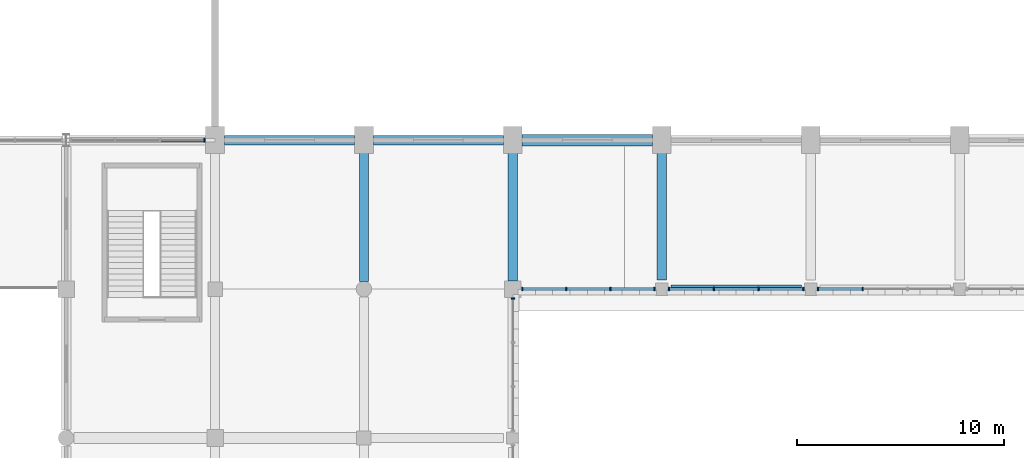
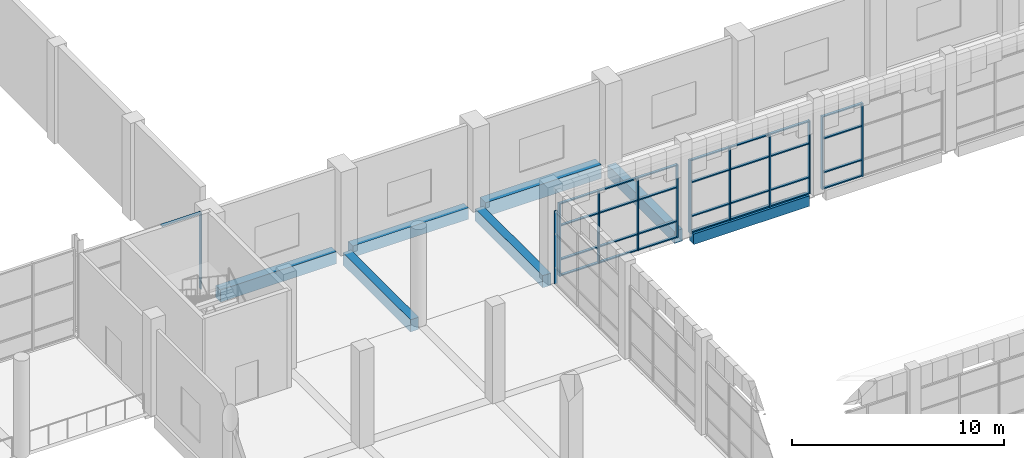
# One storey, part 22 of 80: 41 members, 7 beams, 5 elements without a shape of their own.
"""IFC4 building model written with IfcOpenShell, lengths in metres."""

from ifc_helpers import new_model, si_unit, direction, frame, origin, origin_2d, place, context, subcontext, project, spatial, rectangle, extrude, material, material_profile, profile_set, type_object, element, aggregate, save


model = new_model("IFC4")

# Units and contexts
model_context = context("Model", 3, precision=1e-05, world=origin(), true_north=direction((0.0, 1.0)))
body_context = subcontext(model_context, "Body", "Model", "MODEL_VIEW")
ifc_project = project(units=[si_unit("LENGTHUNIT", "METRE"), si_unit("AREAUNIT", "SQUARE_METRE"), si_unit("VOLUMEUNIT", "CUBIC_METRE"), si_unit("PLANEANGLEUNIT", "RADIAN"), si_unit("MASSUNIT", "GRAM", prefix="KILO")], contexts=[model_context])

# Site, building, storey
site_placement = place(None, origin())
site = spatial("IfcSite", under=ifc_project, at=site_placement, CompositionType="ELEMENT")
building_placement = place(site_placement, origin())
building = spatial("IfcBuilding", under=site, at=building_placement, Name="Sardonyx Promenade Sports Hall", CompositionType="ELEMENT")
storey_placement = place(building_placement, frame((0.0, 0.0, 5.60009765625)))
storey = spatial("IfcBuildingStorey", under=building, at=storey_placement, Name="L01", CompositionType="ELEMENT", Elevation=5.60009765625)

# Beams
ifc_material_1 = material(Name="Concrete C40/50", Category="concrete")
ifc_material_profile_1 = material_profile(ifc_material_1, rectangle(XDim=0.550048828125, YDim=0.800048828125, at=origin_2d()))
ifc_profile_set_1 = profile_set([ifc_material_profile_1], Name="Concrete C40/50")
beam_type_1 = type_object("IfcBeamType", Name="Bm_Girder_RC800", PredefinedType="BEAM", material=ifc_profile_set_1)
beam_1_placement = place(storey_placement, frame((43.64990234375, 72.0, -0.400146484375), z_axis=(1.0, 0.0, 0.0), x_axis=(0.0, 1.0, 0.0)))
element("IfcBeam", 1, at=beam_1_placement, inside=storey, type_object=beam_type_1, Name="Beam BG04 L01 #269", PredefinedType="BEAM", context=body_context, shape_type="SweptSolid", body=[
    extrude(rectangle(XDim=0.550048828125, YDim=0.800048828125, at=origin_2d()), origin(), (0.0, 0.0, 1.0), 6.300048828125),
])
ifc_material_2 = material(Name="Concrete C40/50", Category="concrete")
ifc_material_profile_2 = material_profile(ifc_material_2, rectangle(XDim=0.449951171875, YDim=0.64990234375, at=origin_2d()))
ifc_profile_set_2 = profile_set([ifc_material_profile_2], Name="Concrete C40/50")
beam_type_2 = type_object("IfcBeamType", Name="Bm_Primary_RC650", PredefinedType="BEAM", material=ifc_profile_set_2)
beam_2_placement = place(storey_placement, frame((36.449951171875, 72.0, -0.3251953125), z_axis=(1.0, 0.0, 0.0), x_axis=(0.0, 1.0, 0.0)))
element("IfcBeam", 2, at=beam_2_placement, inside=storey, type_object=beam_type_2, Name="Beam BG05 L01 #268", PredefinedType="BEAM", context=body_context, shape_type="SweptSolid", body=[
    extrude(rectangle(XDim=0.449951171875, YDim=0.64990234375, at=origin_2d()), origin(), (0.0, 0.0, 1.0), 6.300048828125),
])
ifc_material_3 = material(Name="Concrete C40/50", Category="concrete")
ifc_material_profile_3 = material_profile(ifc_material_3, rectangle(XDim=0.449951171875, YDim=0.699951171875, at=origin_2d()))
ifc_profile_set_3 = profile_set([ifc_material_profile_3], Name="Concrete C40/50")
beam_type_3 = type_object("IfcBeamType", Name="Bm_Primary_RC700", PredefinedType="BEAM", material=ifc_profile_set_3)
beam_3_placement = place(storey_placement, frame((29.25, 72.0, -0.35009765625), z_axis=(1.0, 0.0, 0.0), x_axis=(0.0, 1.0, 0.0)))
element("IfcBeam", 3, at=beam_3_placement, inside=storey, type_object=beam_type_3, Name="Beam BG01 L01 #267", PredefinedType="BEAM", context=body_context, shape_type="SweptSolid", body=[
    extrude(rectangle(XDim=0.449951171875, YDim=0.699951171875, at=origin_2d()), origin(), (0.0, 0.0, 1.0), 6.300048828125),
])
beam_4_placement = place(storey_placement, frame((36.0, 65.175048828125, -0.35009765625), z_axis=(0.0, 1.0, 0.0), x_axis=(-1.0, 0.0, 0.0)))
element("IfcBeam", 4, at=beam_4_placement, inside=storey, type_object=beam_type_3, Name="Beam BG01 L01 #319", PredefinedType="BEAM", context=body_context, shape_type="SweptSolid", body=[
    extrude(rectangle(XDim=0.449951171875, YDim=0.699951171875, at=origin_2d()), origin(), (0.0, 0.0, 1.0), 6.375),
])
beam_5_placement = place(storey_placement, frame((43.199951171875, 65.199951171875, -0.35009765625), z_axis=(0.0, 1.0, 0.0), x_axis=(-1.0, 0.0, 0.0)))
element("IfcBeam", 5, at=beam_5_placement, inside=storey, type_object=beam_type_3, Name="Beam BG01 L01 #329", PredefinedType="BEAM", context=body_context, shape_type="SweptSolid", body=[
    extrude(rectangle(XDim=0.449951171875, YDim=0.699951171875, at=origin_2d()), origin(), (0.0, 0.0, 1.0), 6.35009765625),
])
beam_6_placement = place(storey_placement, frame((50.39990234375, 65.25, -0.35009765625), z_axis=(0.0, 1.0, 0.0), x_axis=(-1.0, 0.0, 0.0)))
element("IfcBeam", 6, at=beam_6_placement, inside=storey, type_object=beam_type_3, Name="Beam BG01 L01 #330", PredefinedType="BEAM", context=body_context, shape_type="SweptSolid", body=[
    extrude(rectangle(XDim=0.449951171875, YDim=0.699951171875, at=origin_2d()), origin(), (0.0, 0.0, 1.0), 6.300048828125),
])
ifc_material_4 = material(Name="Concrete C40/50", Category="concrete")
ifc_material_profile_4 = material_profile(ifc_material_4, rectangle(XDim=0.39990234375, YDim=0.60009765625, at=origin_2d()))
ifc_profile_set_4 = profile_set([ifc_material_profile_4], Name="Concrete C40/50")
beam_type_4 = type_object("IfcBeamType", Name="Bm_Spandrel_RC600", PredefinedType="SPANDREL", material=ifc_profile_set_4)
beam_7_placement = place(storey_placement, frame((50.85009765625, 64.800048828125, -0.300048828125), z_axis=(1.0, 0.0, 0.0), x_axis=(0.0, 1.0, 0.0)))
element("IfcBeam", 7, at=beam_7_placement, inside=storey, type_object=beam_type_4, Name="Beam SPB1 L01 #258", PredefinedType="SPANDREL", context=body_context, shape_type="SweptSolid", body=[
    extrude(rectangle(XDim=0.39990234375, YDim=0.60009765625, at=origin_2d()), origin(), (0.0, 0.0, 1.0), 6.2998046875),
])

# Curtain wall, members
ifc_material_5 = material(Name="Aluminium 6063-T6", Category="aluminium")
curtain_wall_type_1 = type_object("IfcCurtainWallType", Name="CW_Riwaq_L01_640", PredefinedType="USERDEFINED", material=ifc_material_5)
curtain_wall_1_placement = place(storey_placement, origin())
curtain_wall_1 = element("IfcCurtainWall", 8, at=curtain_wall_1_placement, inside=storey, type_object=curtain_wall_type_1, Name="Curtain wall CW18 cw:L01:127", ObjectType="CURTAIN WALL", PredefinedType="USERDEFINED")
ifc_material_6 = material(Name="Aluminium 6063-T6", Category="aluminium")
ifc_material_profile_5 = material_profile(ifc_material_6, rectangle(XDim=0.06494140625, YDim=0.175048828125, at=origin_2d()))
ifc_profile_set_5 = profile_set([ifc_material_profile_5], Name="Aluminium 6063-T6")
member_type_1 = type_object("IfcMemberType", Name="CW_Mull_175", PredefinedType="MULLION", material=ifc_profile_set_5)
member_1_placement = place(storey_placement, frame((50.047607421875, 64.800048828125, 0.0), z_axis=(0.0, 0.0, 1.0), x_axis=(-1.0, 0.0, 0.0)))
member_1 = element("IfcMember", 9, at=member_1_placement, type_object=member_type_1, Name="Mullion CM02 cw:L01:127 #1", PredefinedType="MULLION", context=body_context, shape_type="SweptSolid", body=[
    extrude(rectangle(XDim=0.06494140625, YDim=0.175048828125, at=origin_2d()), origin(), (0.0, 0.0, 1.0), 4.199951171875),
])
member_2_placement = place(storey_placement, frame((47.915771484375, 64.800048828125, 0.0), z_axis=(0.0, 0.0, 1.0), x_axis=(-1.0, 0.0, 0.0)))
member_2 = element("IfcMember", 10, at=member_2_placement, type_object=member_type_1, Name="Mullion CM02 cw:L01:127 #2", PredefinedType="MULLION", context=body_context, shape_type="SweptSolid", body=[
    extrude(rectangle(XDim=0.06494140625, YDim=0.175048828125, at=origin_2d()), origin(), (0.0, 0.0, 1.0), 4.199951171875),
])
member_3_placement = place(storey_placement, frame((45.7841796875, 64.800048828125, 0.0), z_axis=(0.0, 0.0, 1.0), x_axis=(-1.0, 0.0, 0.0)))
member_3 = element("IfcMember", 11, at=member_3_placement, type_object=member_type_1, Name="Mullion CM02 cw:L01:127 #3", PredefinedType="MULLION", context=body_context, shape_type="SweptSolid", body=[
    extrude(rectangle(XDim=0.06494140625, YDim=0.175048828125, at=origin_2d()), origin(), (0.0, 0.0, 1.0), 4.199951171875),
])
member_4_placement = place(storey_placement, frame((43.652587890625, 64.800048828125, 0.0), z_axis=(0.0, 0.0, 1.0), x_axis=(-1.0, 0.0, 0.0)))
member_4 = element("IfcMember", 12, at=member_4_placement, type_object=member_type_1, Name="Mullion CM02 cw:L01:127 #4", PredefinedType="MULLION", context=body_context, shape_type="SweptSolid", body=[
    extrude(rectangle(XDim=0.06494140625, YDim=0.175048828125, at=origin_2d()), origin(), (0.0, 0.0, 1.0), 4.199951171875),
])

curtain_wall_2_placement = place(storey_placement, origin())
curtain_wall_2 = element("IfcCurtainWall", 13, at=curtain_wall_2_placement, inside=storey, type_object=curtain_wall_type_1, Name="Curtain wall CW18 cw:L01:129", ObjectType="CURTAIN WALL", PredefinedType="USERDEFINED")
member_5_placement = place(storey_placement, frame((57.24755859375, 64.800048828125, 0.0), z_axis=(0.0, 0.0, 1.0), x_axis=(-1.0, 0.0, 0.0)))
member_5 = element("IfcMember", 14, at=member_5_placement, type_object=member_type_1, Name="Mullion CM02 cw:L01:129 #1", PredefinedType="MULLION", context=body_context, shape_type="SweptSolid", body=[
    extrude(rectangle(XDim=0.06494140625, YDim=0.175048828125, at=origin_2d()), origin(), (0.0, 0.0, 1.0), 4.199951171875),
])
member_6_placement = place(storey_placement, frame((55.08251953125, 64.800048828125, 0.0), z_axis=(0.0, 0.0, 1.0), x_axis=(-1.0, 0.0, 0.0)))
member_6 = element("IfcMember", 15, at=member_6_placement, type_object=member_type_1, Name="Mullion CM02 cw:L01:129 #2", PredefinedType="MULLION", context=body_context, shape_type="SweptSolid", body=[
    extrude(rectangle(XDim=0.06494140625, YDim=0.175048828125, at=origin_2d()), origin(), (0.0, 0.0, 1.0), 4.199951171875),
])
member_7_placement = place(storey_placement, frame((52.91748046875, 64.800048828125, 0.0), z_axis=(0.0, 0.0, 1.0), x_axis=(-1.0, 0.0, 0.0)))
member_7 = element("IfcMember", 16, at=member_7_placement, type_object=member_type_1, Name="Mullion CM02 cw:L01:129 #3", PredefinedType="MULLION", context=body_context, shape_type="SweptSolid", body=[
    extrude(rectangle(XDim=0.06494140625, YDim=0.175048828125, at=origin_2d()), origin(), (0.0, 0.0, 1.0), 4.199951171875),
])
member_8_placement = place(storey_placement, frame((50.75244140625, 64.800048828125, 0.0), z_axis=(0.0, 0.0, 1.0), x_axis=(-1.0, 0.0, 0.0)))
member_8 = element("IfcMember", 17, at=member_8_placement, type_object=member_type_1, Name="Mullion CM02 cw:L01:129 #4", PredefinedType="MULLION", context=body_context, shape_type="SweptSolid", body=[
    extrude(rectangle(XDim=0.06494140625, YDim=0.175048828125, at=origin_2d()), origin(), (0.0, 0.0, 1.0), 4.199951171875),
])

curtain_wall_3_placement = place(storey_placement, origin())
curtain_wall_3 = element("IfcCurtainWall", 18, at=curtain_wall_3_placement, inside=storey, type_object=curtain_wall_type_1, Name="Curtain wall CW18 cw:L01:131", ObjectType="CURTAIN WALL", PredefinedType="USERDEFINED")
member_9_placement = place(storey_placement, frame((60.117431640625, 64.800048828125, 0.0), z_axis=(0.0, 0.0, 1.0), x_axis=(-1.0, 0.0, 0.0)))
member_9 = element("IfcMember", 19, at=member_9_placement, type_object=member_type_1, Name="Mullion CM02 cw:L01:131 #3", PredefinedType="MULLION", context=body_context, shape_type="SweptSolid", body=[
    extrude(rectangle(XDim=0.06494140625, YDim=0.175048828125, at=origin_2d()), origin(), (0.0, 0.0, 1.0), 4.199951171875),
])
member_10_placement = place(storey_placement, frame((57.952392578125, 64.800048828125, 0.0), z_axis=(0.0, 0.0, 1.0), x_axis=(-1.0, 0.0, 0.0)))
member_10 = element("IfcMember", 20, at=member_10_placement, type_object=member_type_1, Name="Mullion CM02 cw:L01:131 #4", PredefinedType="MULLION", context=body_context, shape_type="SweptSolid", body=[
    extrude(rectangle(XDim=0.06494140625, YDim=0.175048828125, at=origin_2d()), origin(), (0.0, 0.0, 1.0), 4.199951171875),
])

# Curtain wall, member
curtain_wall_4_placement = place(storey_placement, origin())
curtain_wall_4 = element("IfcCurtainWall", 21, at=curtain_wall_4_placement, inside=storey, type_object=curtain_wall_type_1, Name="Curtain wall CW18 cw:L01:144", ObjectType="CURTAIN WALL", PredefinedType="USERDEFINED")
member_11_placement = place(storey_placement, frame((43.199951171875, 64.347412109375, 0.0), z_axis=(0.0, 0.0, 1.0), x_axis=(0.0, -1.0, 0.0)))
member_11 = element("IfcMember", 22, at=member_11_placement, type_object=member_type_1, Name="Mullion CM02 cw:L01:144 #1", PredefinedType="MULLION", context=body_context, shape_type="SweptSolid", body=[
    extrude(rectangle(XDim=0.06494140625, YDim=0.175048828125, at=origin_2d()), origin(), (0.0, 0.0, 1.0), 4.199951171875),
])
aggregate(curtain_wall_4, [member_11])

ifc_material_7 = material(Name="Aluminium 6063-T6", Category="aluminium")
curtain_wall_type_2 = type_object("IfcCurtainWallType", Name="CW_Climb_North_L01", PredefinedType="USERDEFINED", material=ifc_material_7)
curtain_wall_5_placement = place(storey_placement, origin())
curtain_wall_5 = element("IfcCurtainWall", 23, at=curtain_wall_5_placement, inside=storey, type_object=curtain_wall_type_2, Name="Curtain wall CW19 cw:L01:075", ObjectType="CURTAIN WALL", PredefinedType="USERDEFINED")
ifc_material_8 = material(Name="Aluminium 6063-T6", Category="aluminium")
ifc_material_profile_6 = material_profile(ifc_material_8, rectangle(XDim=0.070068359375, YDim=0.199951171875, at=origin_2d()))
ifc_profile_set_6 = profile_set([ifc_material_profile_6], Name="Aluminium 6063-T6")
member_type_2 = type_object("IfcMemberType", Name="CW_Mull_200", PredefinedType="MULLION", material=ifc_profile_set_6)
member_12_placement = place(storey_placement, frame((28.294921875, 72.0, 0.2998046875), z_axis=(0.0, 0.0, 1.0), x_axis=(1.0, 0.0, 0.0)))
member_12 = element("IfcMember", 24, at=member_12_placement, type_object=member_type_2, Name="Mullion CM03 cw:L01:075 #4", PredefinedType="MULLION", context=body_context, shape_type="SweptSolid", body=[
    extrude(rectangle(XDim=0.070068359375, YDim=0.199951171875, at=origin_2d()), origin(), (0.0, 0.0, 1.0), 4.385009765625),
])

# Member
ifc_material_9 = material(Name="Aluminium 6063-T6", Category="aluminium")
ifc_material_profile_7 = material_profile(ifc_material_9, rectangle(XDim=0.06494140625, YDim=0.139892578125, at=origin_2d()))
ifc_profile_set_7 = profile_set([ifc_material_profile_7], Name="Aluminium 6063-T6")
member_type_3 = type_object("IfcMemberType", Name="CW_Tran_140", PredefinedType="USERDEFINED", material=ifc_profile_set_7)
member_13_placement = place(storey_placement, frame((50.014892578125, 64.800048828125, 0.032470703125), z_axis=(-1.0, 0.0, 0.0), x_axis=(0.0, 0.0, 1.0)))
member_13 = element("IfcMember", 25, at=member_13_placement, type_object=member_type_3, Name="Transom CT02 cw:L01:127 #1", ObjectType="TRANSOM", PredefinedType="USERDEFINED", context=body_context, shape_type="SweptSolid", body=[
    extrude(rectangle(XDim=0.06494140625, YDim=0.139892578125, at=origin_2d()), origin(), (0.0, 0.0, 1.0), 2.066650390625),
])

member_14_placement = place(storey_placement, frame((50.014892578125, 64.800048828125, 0.949951171875), z_axis=(-1.0, 0.0, 0.0), x_axis=(0.0, 0.0, 1.0)))
member_14 = element("IfcMember", 26, at=member_14_placement, type_object=member_type_3, Name="Transom CT02 cw:L01:127 #2", ObjectType="TRANSOM", PredefinedType="USERDEFINED", context=body_context, shape_type="SweptSolid", body=[
    extrude(rectangle(XDim=0.06494140625, YDim=0.139892578125, at=origin_2d()), origin(), (0.0, 0.0, 1.0), 2.066650390625),
])

member_15_placement = place(storey_placement, frame((50.014892578125, 64.800048828125, 2.89990234375), z_axis=(-1.0, 0.0, 0.0), x_axis=(0.0, 0.0, 1.0)))
member_15 = element("IfcMember", 27, at=member_15_placement, type_object=member_type_3, Name="Transom CT02 cw:L01:127 #3", ObjectType="TRANSOM", PredefinedType="USERDEFINED", context=body_context, shape_type="SweptSolid", body=[
    extrude(rectangle(XDim=0.06494140625, YDim=0.139892578125, at=origin_2d()), origin(), (0.0, 0.0, 1.0), 2.066650390625),
])

member_16_placement = place(storey_placement, frame((50.014892578125, 64.800048828125, 4.16748046875), z_axis=(-1.0, 0.0, 0.0), x_axis=(0.0, 0.0, 1.0)))
member_16 = element("IfcMember", 28, at=member_16_placement, type_object=member_type_3, Name="Transom CT02 cw:L01:127 #4", ObjectType="TRANSOM", PredefinedType="USERDEFINED", context=body_context, shape_type="SweptSolid", body=[
    extrude(rectangle(XDim=0.06494140625, YDim=0.139892578125, at=origin_2d()), origin(), (0.0, 0.0, 1.0), 2.066650390625),
])

member_17_placement = place(storey_placement, frame((47.88330078125, 64.800048828125, 0.032470703125), z_axis=(-1.0, 0.0, 0.0), x_axis=(0.0, 0.0, 1.0)))
member_17 = element("IfcMember", 29, at=member_17_placement, type_object=member_type_3, Name="Transom CT02 cw:L01:127 #5", ObjectType="TRANSOM", PredefinedType="USERDEFINED", context=body_context, shape_type="SweptSolid", body=[
    extrude(rectangle(XDim=0.06494140625, YDim=0.139892578125, at=origin_2d()), origin(), (0.0, 0.0, 1.0), 2.066650390625),
])

member_18_placement = place(storey_placement, frame((47.88330078125, 64.800048828125, 0.949951171875), z_axis=(-1.0, 0.0, 0.0), x_axis=(0.0, 0.0, 1.0)))
member_18 = element("IfcMember", 30, at=member_18_placement, type_object=member_type_3, Name="Transom CT02 cw:L01:127 #6", ObjectType="TRANSOM", PredefinedType="USERDEFINED", context=body_context, shape_type="SweptSolid", body=[
    extrude(rectangle(XDim=0.06494140625, YDim=0.139892578125, at=origin_2d()), origin(), (0.0, 0.0, 1.0), 2.066650390625),
])

member_19_placement = place(storey_placement, frame((47.88330078125, 64.800048828125, 2.89990234375), z_axis=(-1.0, 0.0, 0.0), x_axis=(0.0, 0.0, 1.0)))
member_19 = element("IfcMember", 31, at=member_19_placement, type_object=member_type_3, Name="Transom CT02 cw:L01:127 #7", ObjectType="TRANSOM", PredefinedType="USERDEFINED", context=body_context, shape_type="SweptSolid", body=[
    extrude(rectangle(XDim=0.06494140625, YDim=0.139892578125, at=origin_2d()), origin(), (0.0, 0.0, 1.0), 2.066650390625),
])

member_20_placement = place(storey_placement, frame((47.88330078125, 64.800048828125, 4.16748046875), z_axis=(-1.0, 0.0, 0.0), x_axis=(0.0, 0.0, 1.0)))
member_20 = element("IfcMember", 32, at=member_20_placement, type_object=member_type_3, Name="Transom CT02 cw:L01:127 #8", ObjectType="TRANSOM", PredefinedType="USERDEFINED", context=body_context, shape_type="SweptSolid", body=[
    extrude(rectangle(XDim=0.06494140625, YDim=0.139892578125, at=origin_2d()), origin(), (0.0, 0.0, 1.0), 2.066650390625),
])

member_21_placement = place(storey_placement, frame((45.751708984375, 64.800048828125, 0.032470703125), z_axis=(-1.0, 0.0, 0.0), x_axis=(0.0, 0.0, 1.0)))
member_21 = element("IfcMember", 33, at=member_21_placement, type_object=member_type_3, Name="Transom CT02 cw:L01:127 #9", ObjectType="TRANSOM", PredefinedType="USERDEFINED", context=body_context, shape_type="SweptSolid", body=[
    extrude(rectangle(XDim=0.06494140625, YDim=0.139892578125, at=origin_2d()), origin(), (0.0, 0.0, 1.0), 2.066650390625),
])

member_22_placement = place(storey_placement, frame((45.751708984375, 64.800048828125, 0.949951171875), z_axis=(-1.0, 0.0, 0.0), x_axis=(0.0, 0.0, 1.0)))
member_22 = element("IfcMember", 34, at=member_22_placement, type_object=member_type_3, Name="Transom CT02 cw:L01:127 #10", ObjectType="TRANSOM", PredefinedType="USERDEFINED", context=body_context, shape_type="SweptSolid", body=[
    extrude(rectangle(XDim=0.06494140625, YDim=0.139892578125, at=origin_2d()), origin(), (0.0, 0.0, 1.0), 2.066650390625),
])

member_23_placement = place(storey_placement, frame((45.751708984375, 64.800048828125, 2.89990234375), z_axis=(-1.0, 0.0, 0.0), x_axis=(0.0, 0.0, 1.0)))
member_23 = element("IfcMember", 35, at=member_23_placement, type_object=member_type_3, Name="Transom CT02 cw:L01:127 #11", ObjectType="TRANSOM", PredefinedType="USERDEFINED", context=body_context, shape_type="SweptSolid", body=[
    extrude(rectangle(XDim=0.06494140625, YDim=0.139892578125, at=origin_2d()), origin(), (0.0, 0.0, 1.0), 2.066650390625),
])

member_24_placement = place(storey_placement, frame((45.751708984375, 64.800048828125, 4.16748046875), z_axis=(-1.0, 0.0, 0.0), x_axis=(0.0, 0.0, 1.0)))
member_24 = element("IfcMember", 36, at=member_24_placement, type_object=member_type_3, Name="Transom CT02 cw:L01:127 #12", ObjectType="TRANSOM", PredefinedType="USERDEFINED", context=body_context, shape_type="SweptSolid", body=[
    extrude(rectangle(XDim=0.06494140625, YDim=0.139892578125, at=origin_2d()), origin(), (0.0, 0.0, 1.0), 2.066650390625),
])

aggregate(curtain_wall_1, [member_1, member_2, member_3, member_4, member_13, member_14, member_15, member_16, member_17, member_18, member_19, member_20, member_21, member_22, member_23, member_24])

member_25_placement = place(storey_placement, frame((57.215087890625, 64.800048828125, 0.032470703125), z_axis=(-1.0, 0.0, 0.0), x_axis=(0.0, 0.0, 1.0)))
member_25 = element("IfcMember", 37, at=member_25_placement, type_object=member_type_3, Name="Transom CT02 cw:L01:129 #1", ObjectType="TRANSOM", PredefinedType="USERDEFINED", context=body_context, shape_type="SweptSolid", body=[
    extrude(rectangle(XDim=0.06494140625, YDim=0.139892578125, at=origin_2d()), origin(), (0.0, 0.0, 1.0), 2.10009765625),
])

member_26_placement = place(storey_placement, frame((57.215087890625, 64.800048828125, 0.949951171875), z_axis=(-1.0, 0.0, 0.0), x_axis=(0.0, 0.0, 1.0)))
member_26 = element("IfcMember", 38, at=member_26_placement, type_object=member_type_3, Name="Transom CT02 cw:L01:129 #2", ObjectType="TRANSOM", PredefinedType="USERDEFINED", context=body_context, shape_type="SweptSolid", body=[
    extrude(rectangle(XDim=0.06494140625, YDim=0.139892578125, at=origin_2d()), origin(), (0.0, 0.0, 1.0), 2.10009765625),
])

member_27_placement = place(storey_placement, frame((57.215087890625, 64.800048828125, 2.89990234375), z_axis=(-1.0, 0.0, 0.0), x_axis=(0.0, 0.0, 1.0)))
member_27 = element("IfcMember", 39, at=member_27_placement, type_object=member_type_3, Name="Transom CT02 cw:L01:129 #3", ObjectType="TRANSOM", PredefinedType="USERDEFINED", context=body_context, shape_type="SweptSolid", body=[
    extrude(rectangle(XDim=0.06494140625, YDim=0.139892578125, at=origin_2d()), origin(), (0.0, 0.0, 1.0), 2.10009765625),
])

member_28_placement = place(storey_placement, frame((57.215087890625, 64.800048828125, 4.16748046875), z_axis=(-1.0, 0.0, 0.0), x_axis=(0.0, 0.0, 1.0)))
member_28 = element("IfcMember", 40, at=member_28_placement, type_object=member_type_3, Name="Transom CT02 cw:L01:129 #4", ObjectType="TRANSOM", PredefinedType="USERDEFINED", context=body_context, shape_type="SweptSolid", body=[
    extrude(rectangle(XDim=0.06494140625, YDim=0.139892578125, at=origin_2d()), origin(), (0.0, 0.0, 1.0), 2.10009765625),
])

member_29_placement = place(storey_placement, frame((55.050048828125, 64.800048828125, 0.032470703125), z_axis=(-1.0, 0.0, 0.0), x_axis=(0.0, 0.0, 1.0)))
member_29 = element("IfcMember", 41, at=member_29_placement, type_object=member_type_3, Name="Transom CT02 cw:L01:129 #5", ObjectType="TRANSOM", PredefinedType="USERDEFINED", context=body_context, shape_type="SweptSolid", body=[
    extrude(rectangle(XDim=0.06494140625, YDim=0.139892578125, at=origin_2d()), origin(), (0.0, 0.0, 1.0), 2.10009765625),
])

member_30_placement = place(storey_placement, frame((55.050048828125, 64.800048828125, 0.949951171875), z_axis=(-1.0, 0.0, 0.0), x_axis=(0.0, 0.0, 1.0)))
member_30 = element("IfcMember", 42, at=member_30_placement, type_object=member_type_3, Name="Transom CT02 cw:L01:129 #6", ObjectType="TRANSOM", PredefinedType="USERDEFINED", context=body_context, shape_type="SweptSolid", body=[
    extrude(rectangle(XDim=0.06494140625, YDim=0.139892578125, at=origin_2d()), origin(), (0.0, 0.0, 1.0), 2.10009765625),
])

member_31_placement = place(storey_placement, frame((55.050048828125, 64.800048828125, 2.89990234375), z_axis=(-1.0, 0.0, 0.0), x_axis=(0.0, 0.0, 1.0)))
member_31 = element("IfcMember", 43, at=member_31_placement, type_object=member_type_3, Name="Transom CT02 cw:L01:129 #7", ObjectType="TRANSOM", PredefinedType="USERDEFINED", context=body_context, shape_type="SweptSolid", body=[
    extrude(rectangle(XDim=0.06494140625, YDim=0.139892578125, at=origin_2d()), origin(), (0.0, 0.0, 1.0), 2.10009765625),
])

member_32_placement = place(storey_placement, frame((55.050048828125, 64.800048828125, 4.16748046875), z_axis=(-1.0, 0.0, 0.0), x_axis=(0.0, 0.0, 1.0)))
member_32 = element("IfcMember", 44, at=member_32_placement, type_object=member_type_3, Name="Transom CT02 cw:L01:129 #8", ObjectType="TRANSOM", PredefinedType="USERDEFINED", context=body_context, shape_type="SweptSolid", body=[
    extrude(rectangle(XDim=0.06494140625, YDim=0.139892578125, at=origin_2d()), origin(), (0.0, 0.0, 1.0), 2.10009765625),
])

member_33_placement = place(storey_placement, frame((52.885009765625, 64.800048828125, 0.032470703125), z_axis=(-1.0, 0.0, 0.0), x_axis=(0.0, 0.0, 1.0)))
member_33 = element("IfcMember", 45, at=member_33_placement, type_object=member_type_3, Name="Transom CT02 cw:L01:129 #9", ObjectType="TRANSOM", PredefinedType="USERDEFINED", context=body_context, shape_type="SweptSolid", body=[
    extrude(rectangle(XDim=0.06494140625, YDim=0.139892578125, at=origin_2d()), origin(), (0.0, 0.0, 1.0), 2.10009765625),
])

member_34_placement = place(storey_placement, frame((52.885009765625, 64.800048828125, 0.949951171875), z_axis=(-1.0, 0.0, 0.0), x_axis=(0.0, 0.0, 1.0)))
member_34 = element("IfcMember", 46, at=member_34_placement, type_object=member_type_3, Name="Transom CT02 cw:L01:129 #10", ObjectType="TRANSOM", PredefinedType="USERDEFINED", context=body_context, shape_type="SweptSolid", body=[
    extrude(rectangle(XDim=0.06494140625, YDim=0.139892578125, at=origin_2d()), origin(), (0.0, 0.0, 1.0), 2.10009765625),
])

member_35_placement = place(storey_placement, frame((52.885009765625, 64.800048828125, 2.89990234375), z_axis=(-1.0, 0.0, 0.0), x_axis=(0.0, 0.0, 1.0)))
member_35 = element("IfcMember", 47, at=member_35_placement, type_object=member_type_3, Name="Transom CT02 cw:L01:129 #11", ObjectType="TRANSOM", PredefinedType="USERDEFINED", context=body_context, shape_type="SweptSolid", body=[
    extrude(rectangle(XDim=0.06494140625, YDim=0.139892578125, at=origin_2d()), origin(), (0.0, 0.0, 1.0), 2.10009765625),
])

member_36_placement = place(storey_placement, frame((52.885009765625, 64.800048828125, 4.16748046875), z_axis=(-1.0, 0.0, 0.0), x_axis=(0.0, 0.0, 1.0)))
member_36 = element("IfcMember", 48, at=member_36_placement, type_object=member_type_3, Name="Transom CT02 cw:L01:129 #12", ObjectType="TRANSOM", PredefinedType="USERDEFINED", context=body_context, shape_type="SweptSolid", body=[
    extrude(rectangle(XDim=0.06494140625, YDim=0.139892578125, at=origin_2d()), origin(), (0.0, 0.0, 1.0), 2.10009765625),
])

aggregate(curtain_wall_2, [member_5, member_6, member_7, member_8, member_25, member_26, member_27, member_28, member_29, member_30, member_31, member_32, member_33, member_34, member_35, member_36])

member_37_placement = place(storey_placement, frame((60.0849609375, 64.800048828125, 0.032470703125), z_axis=(-1.0, 0.0, 0.0), x_axis=(0.0, 0.0, 1.0)))
member_37 = element("IfcMember", 49, at=member_37_placement, type_object=member_type_3, Name="Transom CT02 cw:L01:131 #9", ObjectType="TRANSOM", PredefinedType="USERDEFINED", context=body_context, shape_type="SweptSolid", body=[
    extrude(rectangle(XDim=0.06494140625, YDim=0.139892578125, at=origin_2d()), origin(), (0.0, 0.0, 1.0), 2.099853515625),
])

member_38_placement = place(storey_placement, frame((60.0849609375, 64.800048828125, 0.949951171875), z_axis=(-1.0, 0.0, 0.0), x_axis=(0.0, 0.0, 1.0)))
member_38 = element("IfcMember", 50, at=member_38_placement, type_object=member_type_3, Name="Transom CT02 cw:L01:131 #10", ObjectType="TRANSOM", PredefinedType="USERDEFINED", context=body_context, shape_type="SweptSolid", body=[
    extrude(rectangle(XDim=0.06494140625, YDim=0.139892578125, at=origin_2d()), origin(), (0.0, 0.0, 1.0), 2.099853515625),
])

member_39_placement = place(storey_placement, frame((60.0849609375, 64.800048828125, 2.89990234375), z_axis=(-1.0, 0.0, 0.0), x_axis=(0.0, 0.0, 1.0)))
member_39 = element("IfcMember", 51, at=member_39_placement, type_object=member_type_3, Name="Transom CT02 cw:L01:131 #11", ObjectType="TRANSOM", PredefinedType="USERDEFINED", context=body_context, shape_type="SweptSolid", body=[
    extrude(rectangle(XDim=0.06494140625, YDim=0.139892578125, at=origin_2d()), origin(), (0.0, 0.0, 1.0), 2.099853515625),
])

member_40_placement = place(storey_placement, frame((60.0849609375, 64.800048828125, 4.16748046875), z_axis=(-1.0, 0.0, 0.0), x_axis=(0.0, 0.0, 1.0)))
member_40 = element("IfcMember", 52, at=member_40_placement, type_object=member_type_3, Name="Transom CT02 cw:L01:131 #12", ObjectType="TRANSOM", PredefinedType="USERDEFINED", context=body_context, shape_type="SweptSolid", body=[
    extrude(rectangle(XDim=0.06494140625, YDim=0.139892578125, at=origin_2d()), origin(), (0.0, 0.0, 1.0), 2.099853515625),
])

aggregate(curtain_wall_3, [member_9, member_10, member_37, member_38, member_39, member_40])

ifc_material_10 = material(Name="Aluminium 6063-T6", Category="aluminium")
ifc_material_profile_8 = material_profile(ifc_material_10, rectangle(XDim=0.070068359375, YDim=0.159912109375, at=origin_2d()))
ifc_profile_set_8 = profile_set([ifc_material_profile_8], Name="Aluminium 6063-T6")
member_type_4 = type_object("IfcMemberType", Name="CW_Tran_160", PredefinedType="USERDEFINED", material=ifc_profile_set_8)
member_41_placement = place(storey_placement, frame((26.166748046875, 72.0, 4.64990234375), z_axis=(1.0, 0.0, 0.0), x_axis=(0.0, 0.0, 1.0)))
member_41 = element("IfcMember", 53, at=member_41_placement, type_object=member_type_4, Name="Transom CT03 cw:L01:075 #12", ObjectType="TRANSOM", PredefinedType="USERDEFINED", context=body_context, shape_type="SweptSolid", body=[
    extrude(rectangle(XDim=0.070068359375, YDim=0.159912109375, at=origin_2d()), origin(), (0.0, 0.0, 1.0), 2.09326171875),
])

aggregate(curtain_wall_5, [member_12, member_41])

save(model, "model.ifc")
